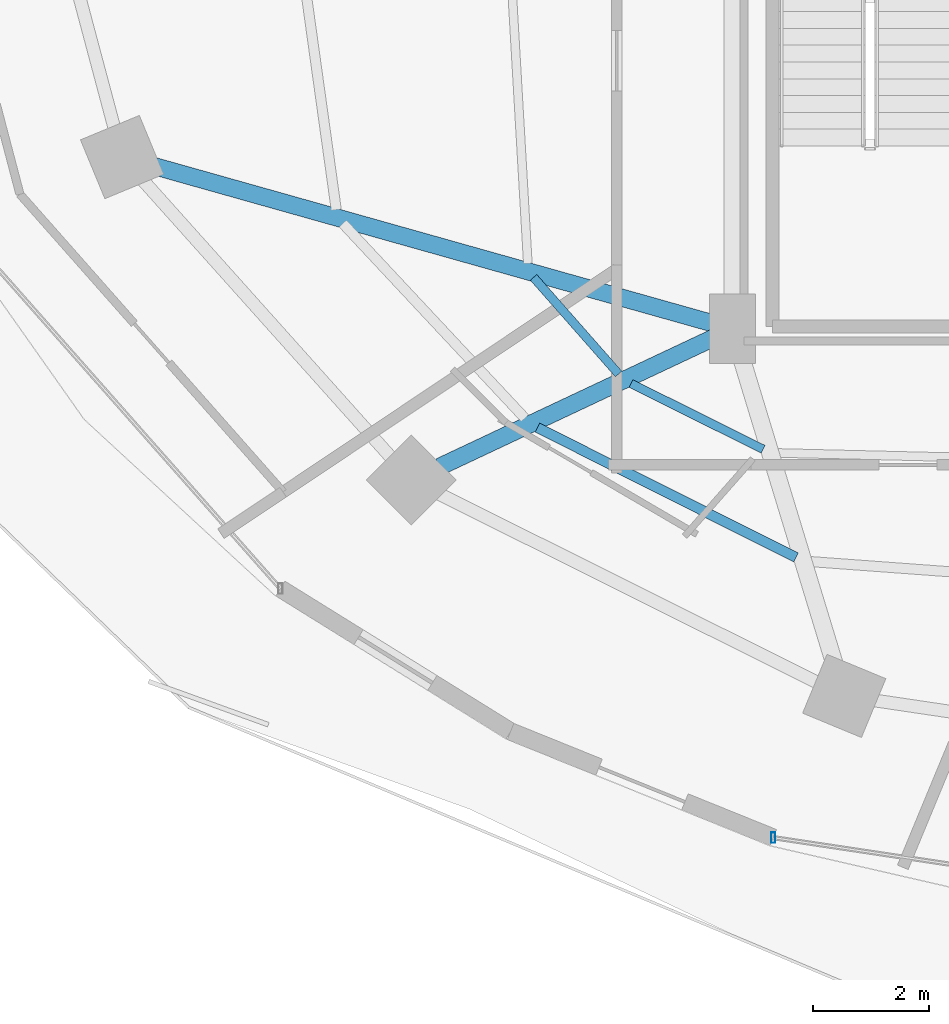
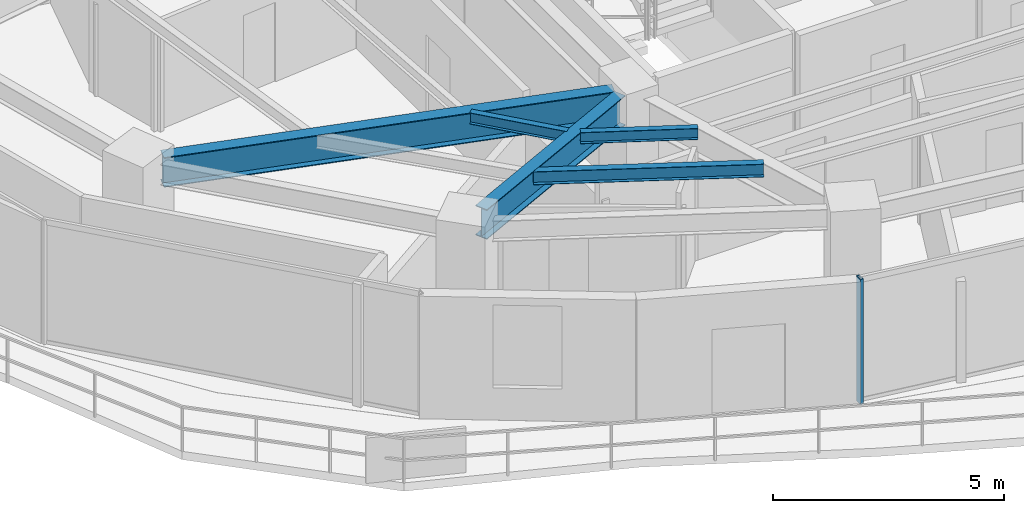
# One storey, part 4 of 30: 5 beams, 1 member, 1 element without a shape of its own.
"""IFC4 building model written with IfcOpenShell, lengths in metres."""

import ifcopenshell
import ifcopenshell.guid

model = None  # the IFC model being written
_history = None  # IfcOwnerHistory: only IFC2X3 demands one
_inside = {}  # id of a spatial element -> (the spatial element, [elements in it])
_under = {}  # id of a project, library or spatial element -> (it, [spatial elements below it])
_declared = {}  # id of a project -> (the project, [libraries it declares])
_typed = {}  # id of a type object -> (the type object, [elements of that type])
_made_of = {}  # id of a material, layer set ... -> (it, [elements and type objects made of it])


def new_model(schema):
    """Start an empty IFC model of exactly this schema.

    Asked for "IFC4X3", IfcOpenShell would pick the latest addendum, in which some entities
    have other attributes; the version numbers below select the first issue.
    IFC2X3 requires an IfcOwnerHistory on every rooted entity: one is made here for all.
    """
    global model, _history
    if schema == "IFC4X3":
        model = ifcopenshell.file(schema_version=(4, 3, 0, 0))
    else:
        model = ifcopenshell.file(schema=schema)
    _inside.clear()
    _under.clear()
    _declared.clear()
    _typed.clear()
    _made_of.clear()
    _history = None
    if model.schema == "IFC2X3":
        org = make("IfcOrganization", Name="unknown")
        user = make(
            "IfcPersonAndOrganization",
            ThePerson=make("IfcPerson", FamilyName="unknown"),
            TheOrganization=org,
        )
        app = make(
            "IfcApplication",
            ApplicationDeveloper=org,
            Version="unknown",
            ApplicationFullName="unknown",
            ApplicationIdentifier="unknown",
        )
        _history = make(
            "IfcOwnerHistory",
            OwningUser=user,
            OwningApplication=app,
            ChangeAction="ADDED",
            CreationDate=0,
        )
    return model


def make(cls, **values):
    """One entity of the class cls with the attributes given. An attribute that is None is left unset."""
    return model.create_entity(
        cls, **{name: value for name, value in values.items() if value is not None}
    )


def rooted(cls, **values):
    """An entity with a GlobalId (a new one), such as an element, a storey or a relation."""
    return make(cls, GlobalId=ifcopenshell.guid.new(), OwnerHistory=_history, **values)


def si_unit(unit_type, name, prefix=None):
    """IfcSIUnit, for example si_unit("LENGTHUNIT", "METRE", prefix="MILLI")."""
    return make("IfcSIUnit", UnitType=unit_type, Prefix=prefix, Name=name)


def assignment(units):
    """IfcUnitAssignment: the units of a project."""
    return None if units is None else make("IfcUnitAssignment", Units=units)


def point(xyz):
    """IfcCartesianPoint."""
    return None if xyz is None else make("IfcCartesianPoint", Coordinates=xyz)


def direction(xyz):
    """IfcDirection."""
    return None if xyz is None else make("IfcDirection", DirectionRatios=xyz)


def frame(location, z_axis=None, x_axis=None):
    """IfcAxis2Placement3D, a coordinate frame: its origin and axes. An axis left out is left unset."""
    return make(
        "IfcAxis2Placement3D",
        Location=point(location),
        Axis=direction(z_axis),
        RefDirection=direction(x_axis),
    )


def frame_2d(location, x_axis=None):
    """IfcAxis2Placement2D, a coordinate frame in the plane: its origin and x axis."""
    return make(
        "IfcAxis2Placement2D", Location=point(location), RefDirection=direction(x_axis)
    )


def origin():
    """The frame at (0, 0, 0) with its axes left unset."""
    return frame((0.0, 0.0, 0.0))


def origin_2d():
    """The frame at (0, 0) in the plane with its x axis left unset."""
    return frame_2d((0.0, 0.0))


def place(relative_to, where):
    """IfcLocalPlacement: puts the frame where relative to a parent placement (None: the world)."""
    return make(
        "IfcLocalPlacement", PlacementRelTo=relative_to, RelativePlacement=where
    )


def context(
    kind, dimensions, precision=None, world=None, true_north=None, identifier=None
):
    """IfcGeometricRepresentationContext, for example the 3D "Model" context."""
    return make(
        "IfcGeometricRepresentationContext",
        ContextIdentifier=identifier,
        ContextType=kind,
        CoordinateSpaceDimension=dimensions,
        Precision=precision,
        WorldCoordinateSystem=world,
        TrueNorth=true_north,
    )


def subcontext(parent, identifier, kind, view, scale=None):
    """IfcGeometricRepresentationSubContext, for example "Body" below "Model"."""
    return make(
        "IfcGeometricRepresentationSubContext",
        ContextIdentifier=identifier,
        ContextType=kind,
        ParentContext=parent,
        TargetScale=scale,
        TargetView=view,
    )


def project(units=None, contexts=None):
    """IfcProject with its units and contexts."""
    return rooted(
        "IfcProject",
        Name="project",
        RepresentationContexts=contexts,
        UnitsInContext=assignment(units),
    )


def spatial(cls, under=None, at=None, **own):
    """A site, building, storey or space (cls), placed at a placement, below another one or the project."""
    s = rooted(cls, ObjectPlacement=at, **own)
    if under is not None:
        _under.setdefault(under.id(), (under, []))[1].append(s)
    return s


def profile(cls, at=None, kind="AREA", **sizes):
    """A parametric profile (cls). Its sizes go by their IFC names, for example OverallWidth=200.0."""
    return make(cls, ProfileType=kind, Position=at, **sizes)


def hollow_rectangle(**sizes):
    """IfcRectangleHollowProfileDef."""
    return profile("IfcRectangleHollowProfileDef", **sizes)


def i_section(**sizes):
    """IfcIShapeProfileDef."""
    return profile("IfcIShapeProfileDef", **sizes)


def extrude(swept, where, along, depth):
    """IfcExtrudedAreaSolid: the profile swept, set in the frame where, extruded along a direction by depth."""
    return make(
        "IfcExtrudedAreaSolid",
        SweptArea=swept,
        Position=where,
        ExtrudedDirection=direction(along),
        Depth=depth,
    )


def shape(context_of_items, identifier, shape_type, items):
    """IfcShapeRepresentation: the items that make up one representation, for example the "Body"."""
    return make(
        "IfcShapeRepresentation",
        ContextOfItems=context_of_items,
        RepresentationIdentifier=identifier,
        RepresentationType=shape_type,
        Items=items,
    )


def material(Name=None, Category=None):
    """IfcMaterial."""
    return make("IfcMaterial", Name=Name, Category=Category)


def material_profile(
    of_material, cross_section, Name=None, Category=None, Priority=None
):
    """IfcMaterialProfile: a cross section and its material."""
    return make(
        "IfcMaterialProfile",
        Name=Name,
        Material=of_material,
        Profile=cross_section,
        Priority=Priority,
        Category=Category,
    )


def profile_set(profiles, Name=None, composite=None):
    """IfcMaterialProfileSet."""
    return make(
        "IfcMaterialProfileSet",
        Name=Name,
        MaterialProfiles=profiles,
        CompositeProfile=composite,
    )


def made_of(thing, what):
    """Note that an element or type object is made of a material, layer set ...; save() writes the relation."""
    if what is not None:
        _made_of.setdefault(what.id(), (what, []))[1].append(thing)
    return thing


def type_object(cls, material=None, **own):
    """A type object (cls), such as IfcWallType, which elements share."""
    return made_of(rooted(cls, **own), material)


def element(
    cls,
    number,
    at=None,
    inside=None,
    cuts=None,
    type_object=None,
    material=None,
    context=None,
    identifier="Body",
    shape_type=None,
    held_by="IfcProductDefinitionShape",
    body=None,
    shapes=None,
    **own,
):
    """One element of the class cls, such as IfcWall. Its Tag is "e" and its number.

    at: its placement. inside: the storey or other place that contains it. cuts: it is an
    opening in that element (IfcRelVoidsElement). A single representation is given by context,
    identifier, shape_type and body (its items); several are given by shapes. held_by: the class
    of the entity that holds the representations. save() writes the other relations.
    """
    e = rooted(cls, Tag="e%d" % number, ObjectPlacement=at, **own)
    if body is not None:
        shapes = [shape(context, identifier, shape_type, body)]
    if shapes is not None:
        e.Representation = make(held_by, Representations=shapes)
    if inside is not None:
        _inside.setdefault(inside.id(), (inside, []))[1].append(e)
    if cuts is not None:
        rooted(
            "IfcRelVoidsElement", RelatingBuildingElement=cuts, RelatedOpeningElement=e
        )
    if type_object is not None:
        _typed.setdefault(type_object.id(), (type_object, []))[1].append(e)
    return made_of(e, material)


def aggregate(whole, parts):
    """IfcRelAggregates: a whole, such as a stair, and the parts it consists of."""
    return rooted("IfcRelAggregates", RelatingObject=whole, RelatedObjects=parts)


def save(model, path):
    """Write the relations noted so far, then the file.

    IfcRelAggregates (storeys below a building ...), IfcRelContainedInSpatialStructure (elements
    in a storey), IfcRelDefinesByType, IfcRelAssociatesMaterial and IfcRelDeclares: one each for
    every whole, place, type object, material and project.
    """
    for whole, parts in _under.values():
        aggregate(whole, parts)
    for where, things in _inside.values():
        rooted(
            "IfcRelContainedInSpatialStructure",
            RelatedElements=things,
            RelatingStructure=where,
        )
    for kind, things in _typed.values():
        rooted("IfcRelDefinesByType", RelatedObjects=things, RelatingType=kind)
    for what, things in _made_of.values():
        rooted("IfcRelAssociatesMaterial", RelatedObjects=things, RelatingMaterial=what)
    for by, libraries in _declared.values():
        rooted("IfcRelDeclares", RelatingContext=by, RelatedDefinitions=libraries)
    model.write(path)


model = new_model("IFC4")

# Units and contexts
model_context = context("Model", 3, precision=1e-05, world=origin(), true_north=direction((0.0, 1.0)))
body_context = subcontext(model_context, "Body", "Model", "MODEL_VIEW")
ifc_project = project(units=[si_unit("LENGTHUNIT", "METRE"), si_unit("AREAUNIT", "SQUARE_METRE"), si_unit("VOLUMEUNIT", "CUBIC_METRE"), si_unit("PLANEANGLEUNIT", "RADIAN"), si_unit("MASSUNIT", "GRAM", prefix="KILO")], contexts=[model_context])

# Site, building, storey
site_placement = place(None, origin())
site = spatial("IfcSite", under=ifc_project, at=site_placement, CompositionType="ELEMENT")
building_placement = place(site_placement, origin())
building = spatial("IfcBuilding", under=site, at=building_placement, Name="Vorneva Point Tower", CompositionType="ELEMENT")
storey_placement = place(building_placement, frame((0.0, 0.0, 78.800048828125)))
storey = spatial("IfcBuildingStorey", under=building, at=storey_placement, Name="L20", CompositionType="ELEMENT", Elevation=78.800048828125)

# Beams
ifc_material_1 = material(Name="Steel S355", Category="steel")
ifc_material_profile_1 = material_profile(ifc_material_1, i_section(OverallWidth=0.300048828125, OverallDepth=0.7880859375, WebThickness=0.014404296875, FlangeThickness=0.02197265625, at=origin_2d()), Name="80Sh1")
ifc_profile_set_1 = profile_set([ifc_material_profile_1], Name="Steel S355")
beam_type_1 = type_object("IfcBeamType", Name="BM-GRD-80Sh1", PredefinedType="USERDEFINED", material=ifc_profile_set_1)
beam_1_placement = place(storey_placement, frame((17.222412109375, 19.272216796875, 2.845947265625), z_axis=(0.962598038366, -0.270933601708, 0.0), x_axis=(0.270933601708, 0.962598038366, 0.0)))
element("IfcBeam", 1, at=beam_1_placement, inside=storey, type_object=beam_type_1, Name="L20 Radial Primary Girder 10", ObjectType="GIRDER", PredefinedType="USERDEFINED", context=body_context, shape_type="SweptSolid", body=[
    extrude(i_section(OverallWidth=0.300048828125, OverallDepth=0.7880859375, WebThickness=0.014404296875, FlangeThickness=0.02197265625, at=origin_2d()), origin(), (0.0, 0.0, 1.0), 10.0771484375),
])
beam_2_placement = place(storey_placement, frame((22.18798828125, 14.06689453125, 2.845947265625), z_axis=(0.904751304927, 0.425940226126, 0.0), x_axis=(-0.425940226126, 0.904751304927, 0.0)))
element("IfcBeam", 2, at=beam_2_placement, inside=storey, type_object=beam_type_1, Name="L20 Radial Primary Girder 11", ObjectType="GIRDER", PredefinedType="USERDEFINED", context=body_context, shape_type="SweptSolid", body=[
    extrude(i_section(OverallWidth=0.300048828125, OverallDepth=0.7880859375, WebThickness=0.014404296875, FlangeThickness=0.02197265625, at=origin_2d()), origin(), (0.0, 0.0, 1.0), 5.2548828125),
])
ifc_material_profile_2 = material_profile(ifc_material_1, i_section(OverallWidth=0.14892578125, OverallDepth=0.298095703125, WebThickness=0.005615234375, FlangeThickness=0.008056640625, at=origin_2d()), Name="30B1")
ifc_profile_set_2 = profile_set([ifc_material_profile_2], Name="Steel S355")
beam_type_2 = type_object("IfcBeamType", Name="BM-JST-30B1", PredefinedType="JOIST", material=ifc_profile_set_2)
beam_3_placement = place(storey_placement, frame((23.812744140625, 17.33935546875, 3.091064453125), z_axis=(0.660778844384, -0.750580654437, 0.0), x_axis=(0.750580654437, 0.660778844384, 0.0)))
element("IfcBeam", 3, at=beam_3_placement, inside=storey, type_object=beam_type_2, Name="L20 Secondary Floor Beam 2.10", PredefinedType="JOIST", context=body_context, shape_type="SweptSolid", body=[
    extrude(i_section(OverallWidth=0.14892578125, OverallDepth=0.298095703125, WebThickness=0.005615234375, FlangeThickness=0.008056640625, at=origin_2d()), origin(), (0.0, 0.0, 1.0), 2.223876953125),
])
beam_4_placement = place(storey_placement, frame((25.4970703125, 15.505126953125, 3.091064453125), z_axis=(0.895364579083, -0.445333886566, 0.0), x_axis=(0.445333886566, 0.895364579083, 0.0)))
element("IfcBeam", 4, at=beam_4_placement, inside=storey, type_object=beam_type_2, Name="L20 Secondary Floor Beam 2.11", PredefinedType="JOIST", context=body_context, shape_type="SweptSolid", body=[
    extrude(i_section(OverallWidth=0.14892578125, OverallDepth=0.298095703125, WebThickness=0.005615234375, FlangeThickness=0.008056640625, at=origin_2d()), origin(), (0.0, 0.0, 1.0), 2.547119140625),
])
ifc_material_profile_3 = material_profile(ifc_material_1, i_section(OverallWidth=0.174072265625, OverallDepth=0.345947265625, WebThickness=0.006103515625, FlangeThickness=0.009033203125, at=origin_2d()), Name="35B1")
ifc_profile_set_3 = profile_set([ifc_material_profile_3], Name="Steel S355")
beam_type_3 = type_object("IfcBeamType", Name="BM-SEC-35B1", PredefinedType="BEAM", material=ifc_profile_set_3)
beam_5_placement = place(storey_placement, frame((23.88037109375, 14.74365234375, 3.06689453125), z_axis=(0.893693254795, -0.448678466537, 0.0), x_axis=(0.448678466537, 0.893693254795, 0.0)))
element("IfcBeam", 5, at=beam_5_placement, inside=storey, type_object=beam_type_3, Name="L20 Secondary Floor Beam 1.11", PredefinedType="BEAM", context=body_context, shape_type="SweptSolid", body=[
    extrude(i_section(OverallWidth=0.174072265625, OverallDepth=0.345947265625, WebThickness=0.006103515625, FlangeThickness=0.009033203125, at=origin_2d()), origin(), (0.0, 0.0, 1.0), 4.997802734375),
])

# Curtain wall, member
ifc_material_2 = material(Name="Pale anodised aluminium", Category="aluminium")
curtain_wall_type = type_object("IfcCurtainWallType", Name="CW-HTL-SYS", PredefinedType="NOTDEFINED", material=ifc_material_2)
curtain_wall_placement = place(storey_placement, origin())
curtain_wall = element("IfcCurtainWall", 6, at=curtain_wall_placement, inside=storey, type_object=curtain_wall_type, Name="L20 Unitised Curtain Wall CW-L20-R03", PredefinedType="NOTDEFINED")
ifc_material_profile_4 = material_profile(ifc_material_2, hollow_rectangle(XDim=0.074951171875, YDim=0.179931640625, WallThickness=0.00390625, at=origin_2d()), Name="AL-MUL 180x75x4")
ifc_profile_set_4 = profile_set([ifc_material_profile_4], Name="Pale anodised aluminium")
member_type = type_object("IfcMemberType", Name="CW-MUL-180", PredefinedType="MULLION", material=ifc_profile_set_4)
member_placement = place(storey_placement, frame((27.95458984375, 7.660888671875, -0.0400390625), z_axis=(0.0, 0.0, 1.0), x_axis=(1.0, 0.0, 0.0)))
member = element("IfcMember", 7, at=member_placement, type_object=member_type, Name="CW-L20-R03 Mullion 01", PredefinedType="MULLION", context=body_context, shape_type="SweptSolid", body=[
    extrude(hollow_rectangle(XDim=0.074951171875, YDim=0.179931640625, WallThickness=0.00390625, at=origin_2d()), origin(), (0.0, 0.0, 1.0), 3.31005859375),
])
aggregate(curtain_wall, [member])

save(model, "model.ifc")
